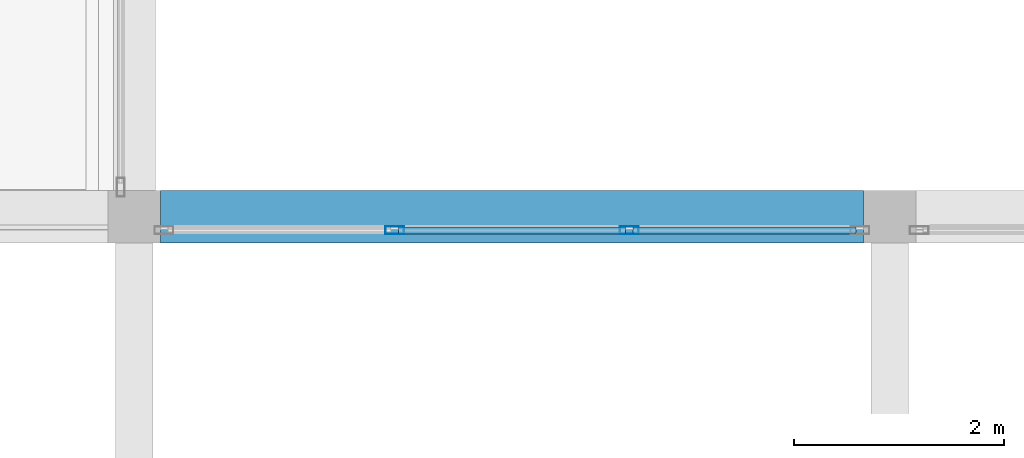
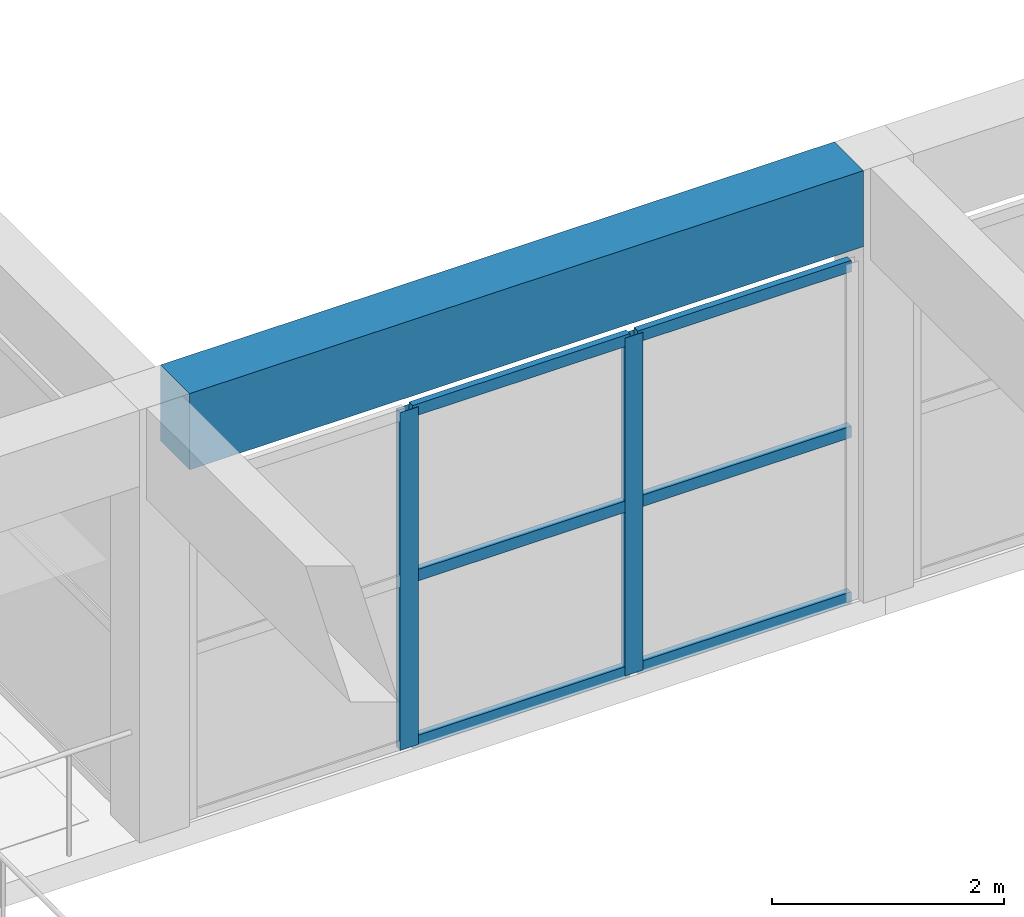
# One storey, part 24 of 153: 8 members, 1 beam, 1 element without a shape of its own.
"""IFC4 building model written with IfcOpenShell, lengths in metres."""

from ifc_helpers import new_model, si_unit, direction, frame, origin, origin_2d, place, context, subcontext, project, spatial, rectangle, hollow_rectangle, extrude, material, material_profile, profile_set, type_object, element, aggregate, save


model = new_model("IFC4")

# Units and contexts
model_context = context("Model", 3, precision=1e-05, world=origin(), true_north=direction((0.0, 1.0)))
body_context = subcontext(model_context, "Body", "Model", "MODEL_VIEW")
ifc_project = project(units=[si_unit("LENGTHUNIT", "METRE"), si_unit("AREAUNIT", "SQUARE_METRE"), si_unit("VOLUMEUNIT", "CUBIC_METRE"), si_unit("PLANEANGLEUNIT", "RADIAN"), si_unit("MASSUNIT", "GRAM", prefix="KILO")], contexts=[model_context])

# Site, building, storey
site_placement = place(None, origin())
site = spatial("IfcSite", under=ifc_project, at=site_placement, CompositionType="ELEMENT")
building_placement = place(site_placement, origin())
building = spatial("IfcBuilding", under=site, at=building_placement, Name="Bramvelor Terrace Health Centre", CompositionType="ELEMENT")
storey_placement = place(building_placement, frame((0.0, 0.0, 4.800048828125)))
storey = spatial("IfcBuildingStorey", under=building, at=storey_placement, Name="L02", CompositionType="ELEMENT", Elevation=4.800048828125)

# Beam
ifc_material_1 = material(Name="Concrete C40/50", Category="concrete")
ifc_material_profile_1 = material_profile(ifc_material_1, rectangle(XDim=0.5, YDim=0.800048828125, at=origin_2d()), Name="RC 500x800")
ifc_profile_set_1 = profile_set([ifc_material_profile_1], Name="Concrete C40/50")
beam_type = type_object("IfcBeamType", Name="BM-RC-G800", PredefinedType="BEAM", material=ifc_profile_set_1)
beam_placement = place(storey_placement, frame((57.85009765625, 50.39990234375, 4.14990234375), z_axis=(1.0, 0.0, 0.0), x_axis=(0.0, 1.0, 0.0)))
element("IfcBeam", 1, at=beam_placement, inside=storey, type_object=beam_type, Name="L02 Floor Girder", PredefinedType="BEAM", context=body_context, shape_type="SweptSolid", body=[
    extrude(rectangle(XDim=0.5, YDim=0.800048828125, at=origin_2d()), origin(), (0.0, 0.0, 1.0), 6.699951171875),
])

# Curtain wall, members
ifc_material_2 = material(Name="Anodized aluminium and double low-E glass", Category="aluminium")
curtain_wall_type = type_object("IfcCurtainWallType", Name="CW-SYS-20", PredefinedType="NOTDEFINED", material=ifc_material_2)
curtain_wall_placement = place(storey_placement, origin())
curtain_wall = element("IfcCurtainWall", 2, at=curtain_wall_placement, inside=storey, type_object=curtain_wall_type, Name="L02 Unitized Curtain Wall 135", PredefinedType="NOTDEFINED")
ifc_material_3 = material(Name="Anodized aluminium 6063-T6", Category="aluminium")
ifc_material_profile_2 = material_profile(ifc_material_3, hollow_rectangle(XDim=0.074951171875, YDim=0.179931640625, WallThickness=0.00341796875, at=origin_2d()), Name="ALU-MUL 75x180x3.5")
ifc_profile_set_2 = profile_set([ifc_material_profile_2], Name="Anodized aluminium 6063-T6")
member_type_1 = type_object("IfcMemberType", Name="CW-MUL-65x180", PredefinedType="MULLION", material=ifc_profile_set_2)
member_1_placement = place(storey_placement, frame((60.081787109375, 50.27001953125, 0.0), z_axis=(0.0, 0.0, 1.0), x_axis=(0.0, 1.0, 0.0)))
member_1 = element("IfcMember", 3, at=member_1_placement, type_object=member_type_1, Name="CW-20 mullion 2", PredefinedType="MULLION", context=body_context, shape_type="SweptSolid", body=[
    extrude(hollow_rectangle(XDim=0.074951171875, YDim=0.179931640625, WallThickness=0.00341796875, at=origin_2d()), origin(), (0.0, 0.0, 1.0), 3.550048828125),
])
member_2_placement = place(storey_placement, frame((62.318359375, 50.27001953125, 0.0), z_axis=(0.0, 0.0, 1.0), x_axis=(0.0, 1.0, 0.0)))
member_2 = element("IfcMember", 4, at=member_2_placement, type_object=member_type_1, Name="CW-20 mullion 3", PredefinedType="MULLION", context=body_context, shape_type="SweptSolid", body=[
    extrude(hollow_rectangle(XDim=0.074951171875, YDim=0.179931640625, WallThickness=0.00341796875, at=origin_2d()), origin(), (0.0, 0.0, 1.0), 3.550048828125),
])
ifc_material_4 = material(Name="Anodized aluminium 6063-T6", Category="aluminium")
ifc_material_profile_3 = material_profile(ifc_material_4, hollow_rectangle(XDim=0.06494140625, YDim=0.1201171875, WallThickness=0.0029296875, at=origin_2d()), Name="ALU-TRN 65x120x3.0")
ifc_profile_set_3 = profile_set([ifc_material_profile_3], Name="Anodized aluminium 6063-T6")
member_type_2 = type_object("IfcMemberType", Name="CW-TRN-65x150", PredefinedType="USERDEFINED", material=ifc_profile_set_3)
member_3_placement = place(storey_placement, frame((60.119140625, 50.27001953125, 0.032470703125), z_axis=(1.0, 0.0, 0.0), x_axis=(0.0, 1.0, 0.0)))
member_3 = element("IfcMember", 5, at=member_3_placement, type_object=member_type_2, Name="CW-20 transom 2.1", ObjectType="TRANSOM", PredefinedType="USERDEFINED", context=body_context, shape_type="SweptSolid", body=[
    extrude(hollow_rectangle(XDim=0.06494140625, YDim=0.1201171875, WallThickness=0.0029296875, at=origin_2d()), origin(), (0.0, 0.0, 1.0), 2.16162109375),
])
member_4_placement = place(storey_placement, frame((60.119140625, 50.27001953125, 1.77490234375), z_axis=(1.0, 0.0, 0.0), x_axis=(0.0, 1.0, 0.0)))
member_4 = element("IfcMember", 6, at=member_4_placement, type_object=member_type_2, Name="CW-20 transom 2.2", ObjectType="TRANSOM", PredefinedType="USERDEFINED", context=body_context, shape_type="SweptSolid", body=[
    extrude(hollow_rectangle(XDim=0.06494140625, YDim=0.1201171875, WallThickness=0.0029296875, at=origin_2d()), origin(), (0.0, 0.0, 1.0), 2.16162109375),
])
member_5_placement = place(storey_placement, frame((60.119140625, 50.27001953125, 3.517333984375), z_axis=(1.0, 0.0, 0.0), x_axis=(0.0, 1.0, 0.0)))
member_5 = element("IfcMember", 7, at=member_5_placement, type_object=member_type_2, Name="CW-20 transom 2.3", ObjectType="TRANSOM", PredefinedType="USERDEFINED", context=body_context, shape_type="SweptSolid", body=[
    extrude(hollow_rectangle(XDim=0.06494140625, YDim=0.1201171875, WallThickness=0.0029296875, at=origin_2d()), origin(), (0.0, 0.0, 1.0), 2.16162109375),
])
member_6_placement = place(storey_placement, frame((62.355712890625, 50.27001953125, 0.032470703125), z_axis=(1.0, 0.0, 0.0), x_axis=(0.0, 1.0, 0.0)))
member_6 = element("IfcMember", 8, at=member_6_placement, type_object=member_type_2, Name="CW-20 transom 3.1", ObjectType="TRANSOM", PredefinedType="USERDEFINED", context=body_context, shape_type="SweptSolid", body=[
    extrude(hollow_rectangle(XDim=0.06494140625, YDim=0.1201171875, WallThickness=0.0029296875, at=origin_2d()), origin(), (0.0, 0.0, 1.0), 2.124267578125),
])
member_7_placement = place(storey_placement, frame((62.355712890625, 50.27001953125, 1.77490234375), z_axis=(1.0, 0.0, 0.0), x_axis=(0.0, 1.0, 0.0)))
member_7 = element("IfcMember", 9, at=member_7_placement, type_object=member_type_2, Name="CW-20 transom 3.2", ObjectType="TRANSOM", PredefinedType="USERDEFINED", context=body_context, shape_type="SweptSolid", body=[
    extrude(hollow_rectangle(XDim=0.06494140625, YDim=0.1201171875, WallThickness=0.0029296875, at=origin_2d()), origin(), (0.0, 0.0, 1.0), 2.124267578125),
])
member_8_placement = place(storey_placement, frame((62.355712890625, 50.27001953125, 3.517333984375), z_axis=(1.0, 0.0, 0.0), x_axis=(0.0, 1.0, 0.0)))
member_8 = element("IfcMember", 10, at=member_8_placement, type_object=member_type_2, Name="CW-20 transom 3.3", ObjectType="TRANSOM", PredefinedType="USERDEFINED", context=body_context, shape_type="SweptSolid", body=[
    extrude(hollow_rectangle(XDim=0.06494140625, YDim=0.1201171875, WallThickness=0.0029296875, at=origin_2d()), origin(), (0.0, 0.0, 1.0), 2.124267578125),
])
aggregate(curtain_wall, [member_1, member_2, member_3, member_4, member_5, member_6, member_7, member_8])

save(model, "model.ifc")
